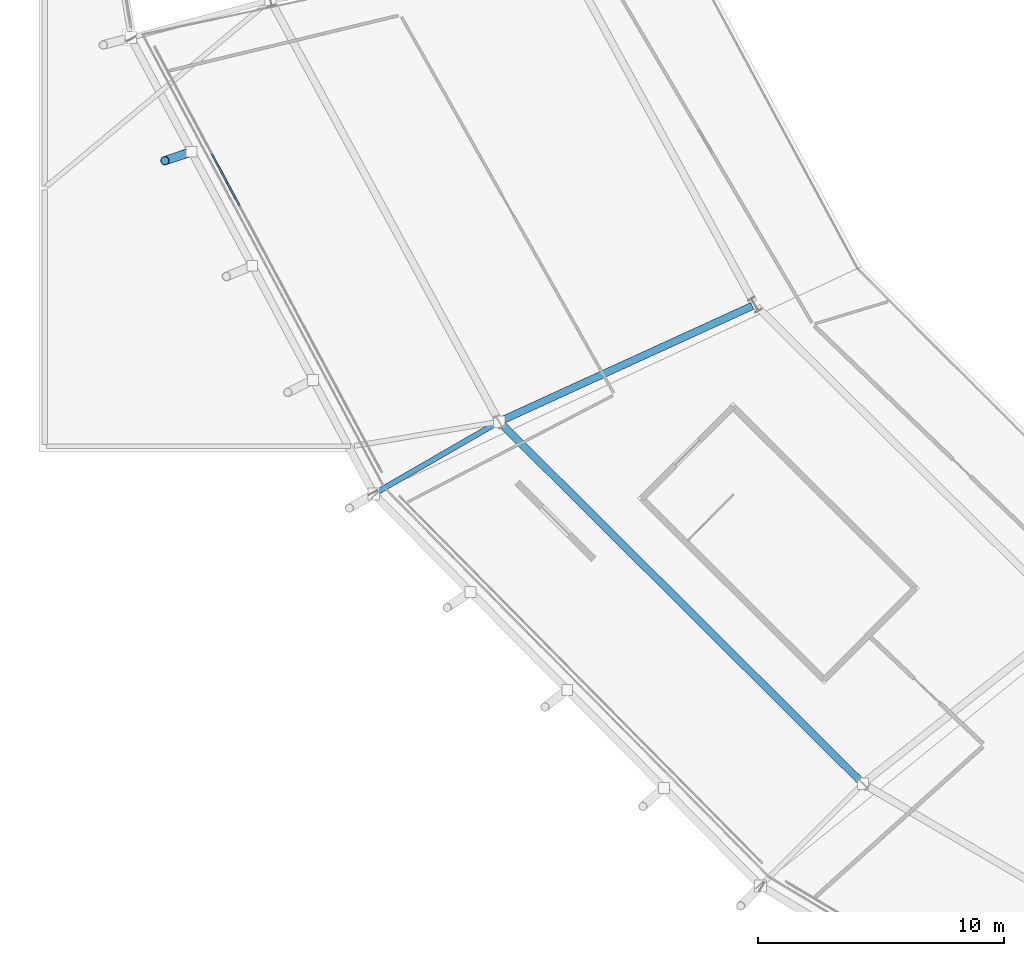
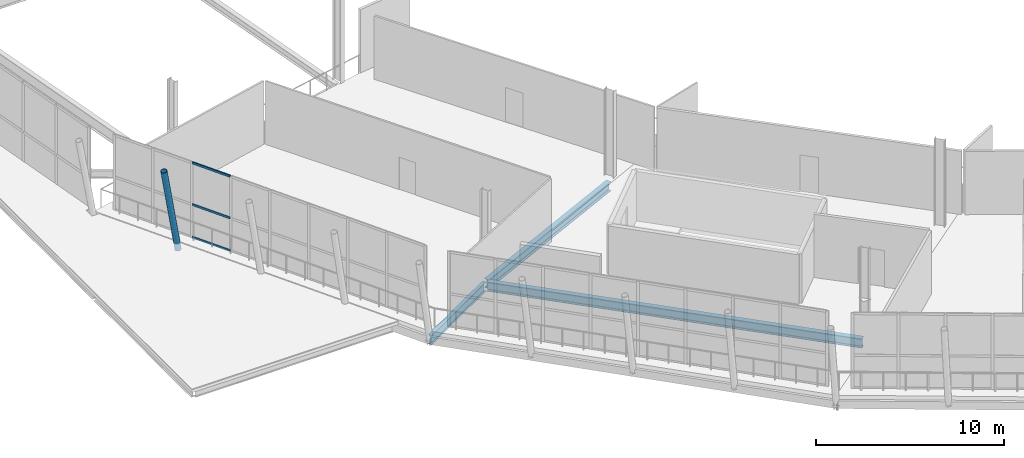
# One storey, part 17 of 99: 4 members, 3 beams, 1 element without a shape of its own.
"""IFC4 building model written with IfcOpenShell, lengths in metres."""

from ifc_helpers import new_model, si_unit, direction, frame, origin, origin_2d, place, context, subcontext, project, spatial, rectangle, hollow_circle, i_section, extrude, material, material_profile, profile_set, type_object, element, aggregate, save


model = new_model("IFC4")

# Units and contexts
model_context = context("Model", 3, precision=1e-05, world=origin(), true_north=direction((0.0, 1.0)))
body_context = subcontext(model_context, "Body", "Model", "MODEL_VIEW")
ifc_project = project(units=[si_unit("LENGTHUNIT", "METRE"), si_unit("AREAUNIT", "SQUARE_METRE"), si_unit("VOLUMEUNIT", "CUBIC_METRE"), si_unit("PLANEANGLEUNIT", "RADIAN"), si_unit("MASSUNIT", "GRAM", prefix="KILO")], contexts=[model_context])

# Site, building, storey
site_placement = place(None, origin())
site = spatial("IfcSite", under=ifc_project, at=site_placement, CompositionType="ELEMENT")
building_placement = place(site_placement, origin())
building = spatial("IfcBuilding", under=site, at=building_placement, Name="Zlatoyarsky Gate Stadium", CompositionType="ELEMENT")
storey_placement = place(building_placement, frame((0.0, 0.0, 26.199951171875)))
storey = spatial("IfcBuildingStorey", under=building, at=storey_placement, Name="L05", CompositionType="ELEMENT", Elevation=26.199951171875)

# Curtain wall, members
ifc_material_1 = material(Name="Thermally broken anodised aluminium curtain wall", Category="aluminium")
curtain_wall_type = type_object("IfcCurtainWallType", Name="UNITISED SKYBOX RING GLAZING L05", PredefinedType="USERDEFINED", material=ifc_material_1)
curtain_wall_placement = place(storey_placement, origin())
curtain_wall = element("IfcCurtainWall", 1, at=curtain_wall_placement, inside=storey, type_object=curtain_wall_type, Name="Curtain wall CW-L05-13", ObjectType="UNITISED GLAZING", PredefinedType="USERDEFINED")
ifc_material_2 = material(Name="Anodised aluminium 6063-T6", Category="aluminium")
ifc_material_profile_1 = material_profile(ifc_material_2, rectangle(XDim=0.06494140625, YDim=0.139892578125, at=origin_2d()), Name="ALU 65X140")
ifc_profile_set_1 = profile_set([ifc_material_profile_1], Name="Anodised aluminium 6063-T6")
member_type_1 = type_object("IfcMemberType", Name="ALUMINIUM TRANSOM 65X140", PredefinedType="USERDEFINED", material=ifc_profile_set_1)
member_1_placement = place(storey_placement, frame((18.78759765625, 55.375244140625, 0.032470703125), z_axis=(0.470934870173, -0.882167981767, 0.0), x_axis=(0.882167981767, 0.470934870173, 0.0)))
member_1 = element("IfcMember", 2, at=member_1_placement, type_object=member_type_1, Name="CW-UG5 transom 3.1", ObjectType="TRANSOM", PredefinedType="USERDEFINED", context=body_context, shape_type="SweptSolid", body=[
    extrude(rectangle(XDim=0.06494140625, YDim=0.139892578125, at=origin_2d()), origin(), (0.0, 0.0, 1.0), 2.3759765625),
])
member_2_placement = place(storey_placement, frame((18.78759765625, 55.375244140625, 2.150146484375), z_axis=(0.470934870173, -0.882167981767, 0.0), x_axis=(0.882167981767, 0.470934870173, 0.0)))
member_2 = element("IfcMember", 3, at=member_2_placement, type_object=member_type_1, Name="CW-UG5 transom 3.2", ObjectType="TRANSOM", PredefinedType="USERDEFINED", context=body_context, shape_type="SweptSolid", body=[
    extrude(rectangle(XDim=0.06494140625, YDim=0.139892578125, at=origin_2d()), origin(), (0.0, 0.0, 1.0), 2.3759765625),
])
member_3_placement = place(storey_placement, frame((18.78759765625, 55.375244140625, 4.84765625), z_axis=(0.470934870173, -0.882167981767, 0.0), x_axis=(0.882167981767, 0.470934870173, 0.0)))
member_3 = element("IfcMember", 4, at=member_3_placement, type_object=member_type_1, Name="CW-UG5 transom 3.3", ObjectType="TRANSOM", PredefinedType="USERDEFINED", context=body_context, shape_type="SweptSolid", body=[
    extrude(rectangle(XDim=0.06494140625, YDim=0.139892578125, at=origin_2d()), origin(), (0.0, 0.0, 1.0), 2.3759765625),
])
aggregate(curtain_wall, [member_1, member_2, member_3])

# Beam
ifc_material_3 = material(Name="Steel S355", Category="steel")
ifc_material_profile_2 = material_profile(ifc_material_3, i_section(OverallWidth=0.219970703125, OverallDepth=0.60009765625, WebThickness=0.011962890625, FlangeThickness=0.01904296875, FilletRadius=0.02392578125, at=origin_2d()), Name="IPE 600")
ifc_profile_set_2 = profile_set([ifc_material_profile_2], Name="Steel S355")
beam_type_1 = type_object("IfcBeamType", Name="STEEL CANTILEVER FLOOR BEAM IPE 600", PredefinedType="BEAM", material=ifc_profile_set_2)
beam_1_placement = place(storey_placement, frame((30.355712890625, 44.43994140625, -0.56005859375), z_axis=(-0.866032366698, -0.499987939687, 0.0), x_axis=(0.499987939687, -0.866032366698, 0.0)))
element("IfcBeam", 5, at=beam_1_placement, inside=storey, type_object=beam_type_1, Name="Beam B-IPE600 BM-L05-OUT-14", PredefinedType="BEAM", context=body_context, shape_type="SweptSolid", body=[
    extrude(i_section(OverallWidth=0.219970703125, OverallDepth=0.60009765625, WebThickness=0.011962890625, FlangeThickness=0.01904296875, FilletRadius=0.02392578125, at=origin_2d()), origin(), (0.0, 0.0, 1.0), 5.758056640625),
])

# Member
ifc_material_profile_3 = material_profile(ifc_material_3, hollow_circle(Radius=0.177734375, WallThickness=0.02001953125, at=origin_2d()), Name="CHS 355.6X20")
ifc_profile_set_3 = profile_set([ifc_material_profile_3], Name="Steel S355")
member_type_2 = type_object("IfcMemberType", Name="STEEL LEANING RIB RING STRUT CHS 355.6X20", PredefinedType="STRUT", material=ifc_profile_set_3)
member_4_placement = place(storey_placement, frame((17.960693359375, 55.467041015625, -0.510009765625), z_axis=(-0.18734638797, -0.063505816911, 0.980238920944), x_axis=(0.32103278258, -0.947068082299, 0.0)))
element("IfcMember", 6, at=member_4_placement, inside=storey, type_object=member_type_2, Name="Outward-leaning bowl louvre fin rib L05 13-1", PredefinedType="STRUT", context=body_context, shape_type="SweptSolid", body=[
    extrude(hollow_circle(Radius=0.177734375, WallThickness=0.02001953125, at=origin_2d()), origin(), (0.0, 0.0, 1.0), 5.774169921875),
])

# Beams
ifc_material_profile_4 = material_profile(ifc_material_3, i_section(OverallWidth=0.300048828125, OverallDepth=0.60009765625, WebThickness=0.015380859375, FlangeThickness=0.030029296875, FilletRadius=0.027099609375, at=origin_2d()), Name="HEB 600")
ifc_profile_set_4 = profile_set([ifc_material_profile_4], Name="Steel S355")
beam_type_2 = type_object("IfcBeamType", Name="STEEL PRIMARY GIRDER HEB 600", PredefinedType="BEAM", material=ifc_profile_set_4)
beam_2_placement = place(storey_placement, frame((40.742919921875, 49.2001953125, -0.56005859375), z_axis=(-0.909498994842, -0.415706120213, 0.0), x_axis=(0.415706120213, -0.909498994842, 0.0)))
element("IfcBeam", 7, at=beam_2_placement, inside=storey, type_object=beam_type_2, Name="Beam G-HEB600 BM-L05-RBC-14", PredefinedType="BEAM", context=body_context, shape_type="SweptSolid", body=[
    extrude(i_section(OverallWidth=0.300048828125, OverallDepth=0.60009765625, WebThickness=0.015380859375, FlangeThickness=0.030029296875, FilletRadius=0.027099609375, at=origin_2d()), origin(), (0.0, 0.0, 1.0), 11.186767578125),
])
beam_3_placement = place(storey_placement, frame((30.544677734375, 44.415283203125, -0.56005859375), z_axis=(0.708899260134, -0.705309746835, 0.0), x_axis=(0.705309746835, 0.708899260134, 0.0)))
element("IfcBeam", 8, at=beam_3_placement, inside=storey, type_object=beam_type_2, Name="Beam G-HEB600 BM-L05-CRC-14", PredefinedType="BEAM", context=body_context, shape_type="SweptSolid", body=[
    extrude(i_section(OverallWidth=0.300048828125, OverallDepth=0.60009765625, WebThickness=0.015380859375, FlangeThickness=0.030029296875, FilletRadius=0.027099609375, at=origin_2d()), origin(), (0.0, 0.0, 1.0), 20.608642578125),
])

save(model, "model.ifc")
